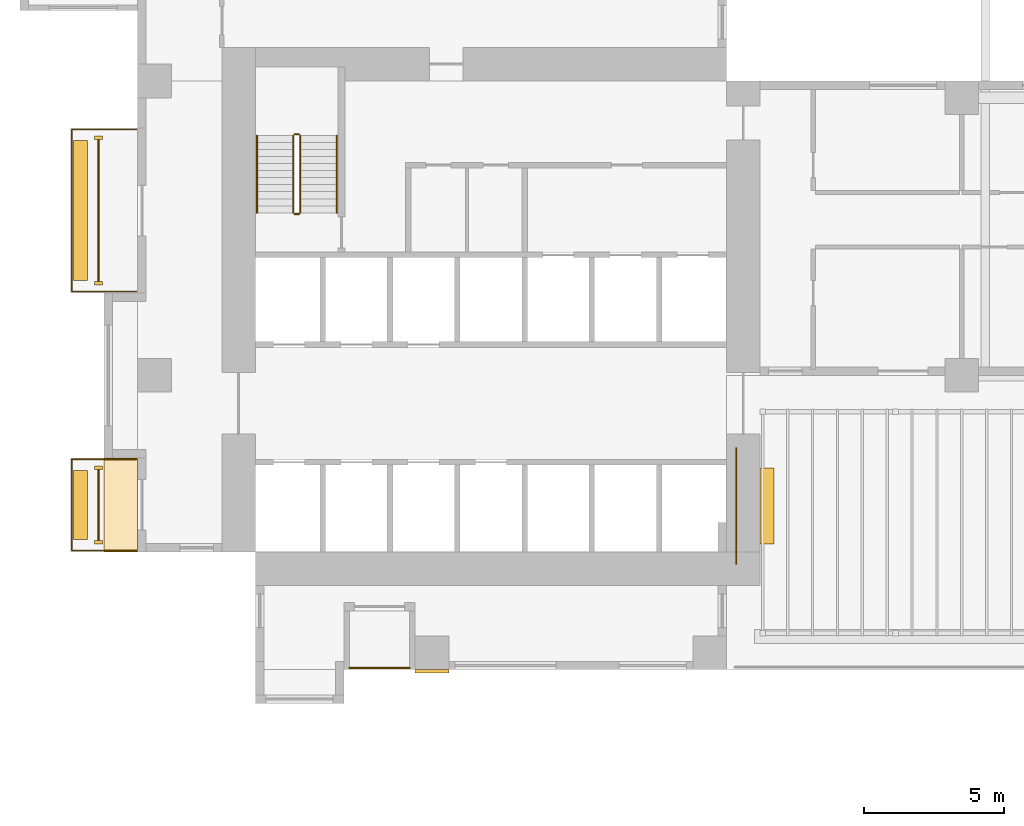
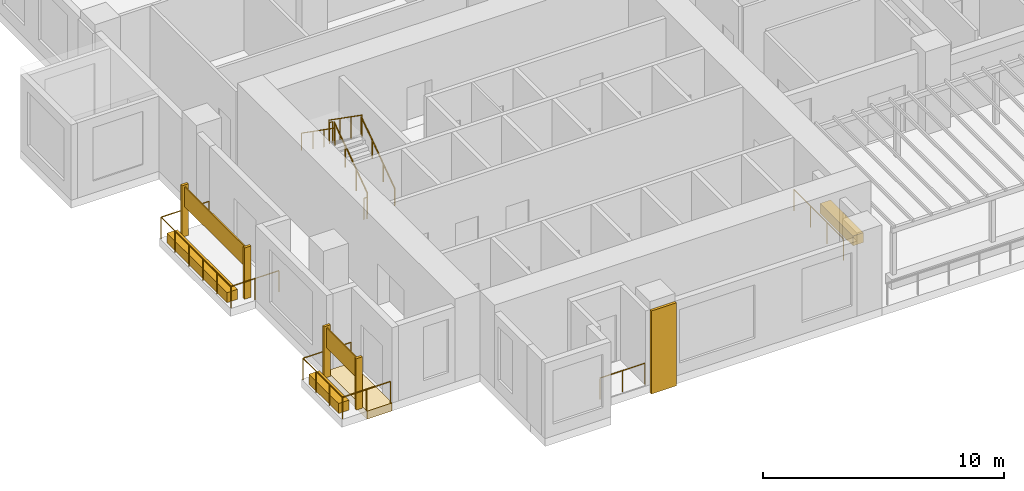
# One storey, part 13 of 17: 11 coverings, 10 railings.
"""IFC4 building model written with IfcOpenShell, lengths in metres."""

from ifc_helpers import new_model, si_unit, direction, frame, origin, origin_2d, place, context, subcontext, project, spatial, polyline, rectangle, circle, outline, extrude, source, transform, mapped, material, type_object, element, save


model = new_model("IFC4")

# Units and contexts
model_context = context("Model", 3, precision=1e-05, world=origin(), true_north=direction((0.0, 1.0)))
body_context = subcontext(model_context, "Body", "Model", "MODEL_VIEW")
ifc_project = project(units=[si_unit("LENGTHUNIT", "METRE"), si_unit("AREAUNIT", "SQUARE_METRE"), si_unit("VOLUMEUNIT", "CUBIC_METRE"), si_unit("PLANEANGLEUNIT", "RADIAN"), si_unit("MASSUNIT", "GRAM", prefix="KILO")], contexts=[model_context])

# Site, building, storey
site_placement = place(None, origin())
site = spatial("IfcSite", under=ifc_project, at=site_placement, CompositionType="ELEMENT")
building_placement = place(site_placement, origin())
building = spatial("IfcBuilding", under=site, at=building_placement, Name="Aurelian Terraces", CompositionType="ELEMENT")
storey_placement = place(building_placement, frame((0.0, 0.0, 48.9)))
storey = spatial("IfcBuildingStorey", under=building, at=storey_placement, Name="L09", CompositionType="ELEMENT", Elevation=48.9)

# Covering
ifc_material_1 = material(Name="Terracotta roof tiles on membrane", Category="masonry")
covering_type_1 = type_object("IfcCoveringType", Name="Bay roof cover", PredefinedType="ROOFING", material=ifc_material_1)
covering_1_placement = place(storey_placement, frame((0.0, 0.0, -0.4)))
element("IfcCovering", 1, at=covering_1_placement, inside=storey, type_object=covering_type_1, Name="Bay roof L09 -1.20_4.20_0.00_13.44", PredefinedType="ROOFING", context=body_context, shape_type="SweptSolid", body=[
    extrude(outline(polyline([(0.0, 4.2), (-1.2, 4.2), (-1.2, 7.56), (0.0, 7.56), (0.0, 4.2)])), origin(), (0.0, 0.0, 1.0), 0.4),
])

# Railings
ifc_material_2 = material(Name="Anodised aluminium", Category="aluminium")
railing_type_1 = type_object("IfcRailingType", Name="GUARD-1100", PredefinedType="GUARDRAIL", material=ifc_material_2)
railing_1_placement = place(storey_placement, frame((7.55, 0.06, 0.05)))
element("IfcRailing", 2, at=railing_1_placement, inside=storey, type_object=railing_type_1, Name="Loggia guard L09 F01.2", PredefinedType="GUARDRAIL", context=body_context, shape_type="SweptSolid", body=[
    extrude(circle(Radius=0.024, at=origin_2d()), frame((0.0, 0.0, 1.076), z_axis=(1.0, 0.0, 0.0), x_axis=(0.0, 1.0, 0.0)), (0.0, 0.0, 1.0), 2.15),
    extrude(circle(Radius=0.021, at=origin_2d()), origin(), (0.0, 0.0, 1.0), 1.052),
    extrude(circle(Radius=0.021, at=origin_2d()), frame((1.075, 0.0, 0.0)), (0.0, 0.0, 1.0), 1.052),
    extrude(circle(Radius=0.021, at=origin_2d()), frame((2.15, 0.0, 0.0)), (0.0, 0.0, 1.0), 1.052),
])
railing_2_placement = place(storey_placement, frame((21.35, 3.7758, 0.0)))
element("IfcRailing", 3, at=railing_2_placement, inside=storey, type_object=railing_type_1, Name="Terrace guard L09 SKY-01-T1.2", PredefinedType="GUARDRAIL", context=body_context, shape_type="SweptSolid", body=[
    extrude(circle(Radius=0.024, at=origin_2d()), frame((0.0, 0.0, 1.076), z_axis=(0.0, 1.0, 0.0), x_axis=(-1.0, 0.0, 0.0)), (0.0, 0.0, 1.0), 4.1242),
    extrude(circle(Radius=0.021, at=origin_2d()), origin(), (0.0, 0.0, 1.0), 1.052),
    extrude(circle(Radius=0.021, at=origin_2d()), frame((0.0, 1.3747, 0.0)), (0.0, 0.0, 1.0), 1.052),
    extrude(circle(Radius=0.021, at=origin_2d()), frame((0.0, 2.7495, 0.0)), (0.0, 0.0, 1.0), 1.052),
    extrude(circle(Radius=0.021, at=origin_2d()), frame((0.0, 4.1242, 0.0)), (0.0, 0.0, 1.0), 1.052),
])

# Coverings
ifc_material_3 = material(Name="Terracotta planter with planting soil", Category="masonry")
covering_type_2 = type_object("IfcCoveringType", Name="PLANTER-TROUGH", PredefinedType="USERDEFINED", material=ifc_material_3)
covering_2_placement = place(storey_placement, frame((22.45, 5.8379, 0.0), z_axis=(0.0, 0.0, 1.0), x_axis=(1.0, 0.0, 0.0)))
element("IfcCovering", 4, at=covering_2_placement, inside=storey, type_object=covering_type_2, Name="PLANTER L09 terrace SKY-01-T1-1.1", ObjectType="PLANTER", PredefinedType="USERDEFINED", context=body_context, shape_type="SweptSolid", body=[
    extrude(rectangle(XDim=0.5, YDim=2.7242, at=origin_2d()), origin(), (0.0, 0.0, 1.0), 0.5),
])
ifc_material_4 = material(Name="Terracotta rainscreen cladding relief", Category="masonry")
covering_type_3 = type_object("IfcCoveringType", Name="FIN-TC", PredefinedType="CLADDING", material=ifc_material_4)
shared_shape_1 = source(origin(), body_context, "Body", "SweptSolid", [
    extrude(rectangle(XDim=0.3, YDim=0.12, at=origin_2d()), origin(), (0.0, 0.0, 1.0), 2.6),
])
for number, where, z_axis, x_axis, name in (
    (5, (-1.4, 18.97, 0.0), (0.0, 0.0, 1.0), (1.0, 0.0, 0.0), "FIN L09 L09-F18-41.1"),
    (6, (-1.4, 13.79, 0.0), (0.0, 0.0, 1.0), (1.0, 0.0, 0.0), "FIN L09 L09-F18-41.2"),
    (7, (-1.4, 7.21, 0.0), (0.0, 0.0, 1.0), (1.0, 0.0, 0.0), "FIN L09 L09-F18-43.1"),
    (8, (-1.4, 4.55, 0.0), (0.0, 0.0, 1.0), (1.0, 0.0, 0.0), "FIN L09 L09-F18-43.2"),
):
    element("IfcCovering", number, at=place(storey_placement, frame(where, z_axis=z_axis, x_axis=x_axis)), inside=storey, type_object=covering_type_3, Name=name, PredefinedType="CLADDING", context=body_context, shape_type="MappedRepresentation", body=[
        mapped(shared_shape_1, transform((0.0, 0.0, 0.0), scale=1.0)),
    ])
covering_type_4 = type_object("IfcCoveringType", Name="BAGUETTE-TC", PredefinedType="CLADDING", material=ifc_material_4)
shared_shape_2 = source(origin(), body_context, "Body", "SweptSolid", [
    extrude(rectangle(XDim=1.2, YDim=0.12, at=origin_2d()), origin(), (0.0, 0.0, 1.0), 4.2),
])
covering_3_placement = place(storey_placement, frame((10.5, -0.06, -0.4), z_axis=(0.0, 0.0, 1.0), x_axis=(1.0, 0.0, 0.0)))
element("IfcCovering", 9, at=covering_3_placement, inside=storey, type_object=covering_type_4, Name="BAGUETTE pier L09 1", PredefinedType="CLADDING", context=body_context, shape_type="MappedRepresentation", body=[
    mapped(shared_shape_2, transform((0.0, 0.0, 0.0), scale=1.0)),
])

# Railing
shared_shape_3 = source(origin(), body_context, "Body", "SweptSolid", [
    extrude(circle(Radius=0.024, at=origin_2d()), frame((0.0, 0.0, 1.076), z_axis=(-1.0, 0.0, 0.0), x_axis=(0.0, -1.0, 0.0)), (0.0, 0.0, 1.0), 2.3),
    extrude(circle(Radius=0.024, at=origin_2d()), frame((-2.3, 0.0, 1.076), z_axis=(0.0, -1.0, 0.0), x_axis=(1.0, 0.0, 0.0)), (0.0, 0.0, 1.0), 5.78),
    extrude(circle(Radius=0.024, at=origin_2d()), frame((-2.3, -5.78, 1.076), z_axis=(1.0, 0.0, 0.0), x_axis=(0.0, 1.0, 0.0)), (0.0, 0.0, 1.0), 2.3),
    extrude(circle(Radius=0.021, at=origin_2d()), origin(), (0.0, 0.0, 1.0), 1.052),
    extrude(circle(Radius=0.021, at=origin_2d()), frame((-1.15, 0.0, 0.0)), (0.0, 0.0, 1.0), 1.052),
    extrude(circle(Radius=0.021, at=origin_2d()), frame((-2.3, 0.0, 0.0)), (0.0, 0.0, 1.0), 1.052),
    extrude(circle(Radius=0.021, at=origin_2d()), frame((-2.3, -1.156, 0.0)), (0.0, 0.0, 1.0), 1.052),
    extrude(circle(Radius=0.021, at=origin_2d()), frame((-2.3, -2.312, 0.0)), (0.0, 0.0, 1.0), 1.052),
    extrude(circle(Radius=0.021, at=origin_2d()), frame((-2.3, -3.468, 0.0)), (0.0, 0.0, 1.0), 1.052),
    extrude(circle(Radius=0.021, at=origin_2d()), frame((-2.3, -4.624, 0.0)), (0.0, 0.0, 1.0), 1.052),
    extrude(circle(Radius=0.021, at=origin_2d()), frame((-2.3, -5.78, 0.0)), (0.0, 0.0, 1.0), 1.052),
    extrude(circle(Radius=0.021, at=origin_2d()), frame((-1.15, -5.78, 0.0)), (0.0, 0.0, 1.0), 1.052),
    extrude(circle(Radius=0.021, at=origin_2d()), frame((0.0, -5.78, 0.0)), (0.0, 0.0, 1.0), 1.052),
])
railing_3_placement = place(storey_placement, frame((-0.05, 19.27, 0.0)))
element("IfcRailing", 10, at=railing_3_placement, inside=storey, type_object=railing_type_1, Name="Balcony guard L09 F18.41", PredefinedType="GUARDRAIL", context=body_context, shape_type="MappedRepresentation", body=[
    mapped(shared_shape_3, transform((0.0, 0.0, 0.0), scale=1.0)),
])

# Coverings
shared_shape_4 = source(origin(), body_context, "Body", "SweptSolid", [
    extrude(rectangle(XDim=0.5, YDim=4.98, at=origin_2d()), origin(), (0.0, 0.0, 1.0), 0.5),
])
covering_4_placement = place(storey_placement, frame((-2.05, 16.38, 0.0), z_axis=(0.0, 0.0, 1.0), x_axis=(1.0, 0.0, 0.0)))
element("IfcCovering", 11, at=covering_4_placement, inside=storey, type_object=covering_type_2, Name="PLANTER L09 L09-F18-41", ObjectType="PLANTER", PredefinedType="USERDEFINED", context=body_context, shape_type="MappedRepresentation", body=[
    mapped(shared_shape_4, transform((0.0, 0.0, 0.0), scale=1.0)),
])
ifc_material_5 = material(Name="Terracotta rainscreen cladding", Category="masonry")
covering_type_5 = type_object("IfcCoveringType", Name="SCREEN-TC", PredefinedType="CLADDING", material=ifc_material_5)
shared_shape_5 = source(origin(), body_context, "Body", "SweptSolid", [
    extrude(rectangle(XDim=0.06, YDim=5.06, at=origin_2d()), origin(), (0.0, 0.0, 1.0), 1.0),
])
covering_5_placement = place(storey_placement, frame((-1.4, 16.38, 1.5), z_axis=(0.0, 0.0, 1.0), x_axis=(1.0, 0.0, 0.0)))
element("IfcCovering", 12, at=covering_5_placement, inside=storey, type_object=covering_type_5, Name="SCREEN L09 L09-F18-41", PredefinedType="CLADDING", context=body_context, shape_type="MappedRepresentation", body=[
    mapped(shared_shape_5, transform((0.0, 0.0, 0.0), scale=1.0)),
])

# Railing
shared_shape_6 = source(origin(), body_context, "Body", "SweptSolid", [
    extrude(circle(Radius=0.024, at=origin_2d()), frame((0.0, 0.0, 1.076), z_axis=(-1.0, 0.0, 0.0), x_axis=(0.0, -1.0, 0.0)), (0.0, 0.0, 1.0), 2.3),
    extrude(circle(Radius=0.024, at=origin_2d()), frame((-2.3, 0.0, 1.076), z_axis=(0.0, -1.0, 0.0), x_axis=(1.0, 0.0, 0.0)), (0.0, 0.0, 1.0), 3.26),
    extrude(circle(Radius=0.024, at=origin_2d()), frame((-2.3, -3.26, 1.076), z_axis=(1.0, 0.0, 0.0), x_axis=(0.0, 1.0, 0.0)), (0.0, 0.0, 1.0), 2.3),
    extrude(circle(Radius=0.021, at=origin_2d()), origin(), (0.0, 0.0, 1.0), 1.052),
    extrude(circle(Radius=0.021, at=origin_2d()), frame((-1.15, 0.0, 0.0)), (0.0, 0.0, 1.0), 1.052),
    extrude(circle(Radius=0.021, at=origin_2d()), frame((-2.3, 0.0, 0.0)), (0.0, 0.0, 1.0), 1.052),
    extrude(circle(Radius=0.021, at=origin_2d()), frame((-2.3, -1.0867, 0.0)), (0.0, 0.0, 1.0), 1.052),
    extrude(circle(Radius=0.021, at=origin_2d()), frame((-2.3, -2.1733, 0.0)), (0.0, 0.0, 1.0), 1.052),
    extrude(circle(Radius=0.021, at=origin_2d()), frame((-2.3, -3.26, 0.0)), (0.0, 0.0, 1.0), 1.052),
    extrude(circle(Radius=0.021, at=origin_2d()), frame((-1.15, -3.26, 0.0)), (0.0, 0.0, 1.0), 1.052),
    extrude(circle(Radius=0.021, at=origin_2d()), frame((0.0, -3.26, 0.0)), (0.0, 0.0, 1.0), 1.052),
])
railing_4_placement = place(storey_placement, frame((-0.05, 7.51, 0.0)))
element("IfcRailing", 13, at=railing_4_placement, inside=storey, type_object=railing_type_1, Name="Balcony guard L09 F18.43", PredefinedType="GUARDRAIL", context=body_context, shape_type="MappedRepresentation", body=[
    mapped(shared_shape_6, transform((0.0, 0.0, 0.0), scale=1.0)),
])

# Coverings
shared_shape_7 = source(origin(), body_context, "Body", "SweptSolid", [
    extrude(rectangle(XDim=0.5, YDim=2.46, at=origin_2d()), origin(), (0.0, 0.0, 1.0), 0.5),
])
covering_6_placement = place(storey_placement, frame((-2.05, 5.88, 0.0), z_axis=(0.0, 0.0, 1.0), x_axis=(1.0, 0.0, 0.0)))
element("IfcCovering", 14, at=covering_6_placement, inside=storey, type_object=covering_type_2, Name="PLANTER L09 L09-F18-43", ObjectType="PLANTER", PredefinedType="USERDEFINED", context=body_context, shape_type="MappedRepresentation", body=[
    mapped(shared_shape_7, transform((0.0, 0.0, 0.0), scale=1.0)),
])
shared_shape_8 = source(origin(), body_context, "Body", "SweptSolid", [
    extrude(rectangle(XDim=0.06, YDim=2.54, at=origin_2d()), origin(), (0.0, 0.0, 1.0), 1.0),
])
covering_7_placement = place(storey_placement, frame((-1.4, 5.88, 1.5), z_axis=(0.0, 0.0, 1.0), x_axis=(1.0, 0.0, 0.0)))
element("IfcCovering", 15, at=covering_7_placement, inside=storey, type_object=covering_type_5, Name="SCREEN L09 L09-F18-43", PredefinedType="CLADDING", context=body_context, shape_type="MappedRepresentation", body=[
    mapped(shared_shape_8, transform((0.0, 0.0, 0.0), scale=1.0)),
])

# Railings
ifc_material_6 = material(Name="Stainless steel", Category="steel")
railing_type_2 = type_object("IfcRailingType", Name="Stair guard 1100", PredefinedType="GUARDRAIL", material=ifc_material_6)
shared_shape_9 = source(origin(), body_context, "Body", "SweptSolid", [
    extrude(circle(Radius=0.024, at=origin_2d()), frame((0.0, 0.0, 1.076), z_axis=(-1.0, 0.0, 0.0), x_axis=(0.0, -1.0, 0.0)), (0.0, 0.0, 1.0), 0.15),
    extrude(circle(Radius=0.021, at=origin_2d()), origin(), (0.0, 0.0, 1.0), 1.052),
    extrude(circle(Radius=0.021, at=origin_2d()), frame((-0.15, 0.0, 0.0)), (0.0, 0.0, 1.0), 1.052),
])
for number, where, name in (
    (16, (5.75, 19.1, 2.1), "L09 S1 stair guard 2"),
    (17, (5.75, 16.25, 0.0), "L09 S1 stair guard 4"),
):
    element("IfcRailing", number, at=place(storey_placement, frame(where)), inside=storey, type_object=railing_type_2, Name=name, PredefinedType="GUARDRAIL", context=body_context, shape_type="MappedRepresentation", body=[
        mapped(shared_shape_9, transform((0.0, 0.0, 0.0), scale=1.0)),
    ])
shared_shape_10 = source(origin(), body_context, "Body", "SweptSolid", [
    extrude(circle(Radius=0.024, at=origin_2d()), frame((0.0, 0.0, 1.076), z_axis=(0.0, 0.819231920519, 0.573462344363), x_axis=(-1.0, 0.0, 0.0)), (0.0, 0.0, 1.0), 3.3568),
    extrude(circle(Radius=0.021, at=origin_2d()), origin(), (0.0, 0.0, 1.0), 1.052),
    extrude(circle(Radius=0.021, at=origin_2d()), frame((0.0, 0.9167, 0.6417)), (0.0, 0.0, 1.0), 1.052),
    extrude(circle(Radius=0.021, at=origin_2d()), frame((0.0, 1.8333, 1.2833)), (0.0, 0.0, 1.0), 1.052),
    extrude(circle(Radius=0.021, at=origin_2d()), frame((0.0, 2.75, 1.925)), (0.0, 0.0, 1.0), 1.052),
])
railing_5_placement = place(storey_placement, frame((5.8, 16.3, 0.175)))
element("IfcRailing", 18, at=railing_5_placement, inside=storey, type_object=railing_type_2, Name="L09 S1 stair guard 1", PredefinedType="GUARDRAIL", context=body_context, shape_type="MappedRepresentation", body=[
    mapped(shared_shape_10, transform((0.0, 0.0, 0.0), scale=1.0)),
])
shared_shape_11 = source(origin(), body_context, "Body", "SweptSolid", [
    extrude(circle(Radius=0.024, at=origin_2d()), frame((0.0, 0.0, 1.076), z_axis=(0.0, -0.819231920519, 0.573462344363), x_axis=(1.0, 0.0, 0.0)), (0.0, 0.0, 1.0), 3.3568),
    extrude(circle(Radius=0.021, at=origin_2d()), origin(), (0.0, 0.0, 1.0), 1.052),
    extrude(circle(Radius=0.021, at=origin_2d()), frame((0.0, -0.9167, 0.6417)), (0.0, 0.0, 1.0), 1.052),
    extrude(circle(Radius=0.021, at=origin_2d()), frame((0.0, -1.8333, 1.2833)), (0.0, 0.0, 1.0), 1.052),
    extrude(circle(Radius=0.021, at=origin_2d()), frame((0.0, -2.75, 1.925)), (0.0, 0.0, 1.0), 1.052),
])
railing_6_placement = place(storey_placement, frame((5.55, 19.05, 2.275)))
element("IfcRailing", 19, at=railing_6_placement, inside=storey, type_object=railing_type_2, Name="L09 S1 stair guard 3", PredefinedType="GUARDRAIL", context=body_context, shape_type="MappedRepresentation", body=[
    mapped(shared_shape_11, transform((0.0, 0.0, 0.0), scale=1.0)),
])
railing_type_3 = type_object("IfcRailingType", Name="Stair handrail", PredefinedType="HANDRAIL", material=ifc_material_6)
shared_shape_12 = source(origin(), body_context, "Body", "SweptSolid", [
    extrude(circle(Radius=0.024, at=origin_2d()), frame((0.0, 0.0, 0.876), z_axis=(0.0, 0.819231920519, 0.573462344363), x_axis=(-1.0, 0.0, 0.0)), (0.0, 0.0, 1.0), 3.3568),
    extrude(circle(Radius=0.021, at=origin_2d()), origin(), (0.0, 0.0, 1.0), 0.852),
    extrude(circle(Radius=0.021, at=origin_2d()), frame((0.0, 0.9167, 0.6417)), (0.0, 0.0, 1.0), 0.852),
    extrude(circle(Radius=0.021, at=origin_2d()), frame((0.0, 1.8333, 1.2833)), (0.0, 0.0, 1.0), 0.852),
    extrude(circle(Radius=0.021, at=origin_2d()), frame((0.0, 2.75, 1.925)), (0.0, 0.0, 1.0), 0.852),
])
railing_7_placement = place(storey_placement, frame((7.1, 16.3, 0.175)))
element("IfcRailing", 20, at=railing_7_placement, inside=storey, type_object=railing_type_3, Name="L09 S1 stair handrail 1", PredefinedType="HANDRAIL", context=body_context, shape_type="MappedRepresentation", body=[
    mapped(shared_shape_12, transform((0.0, 0.0, 0.0), scale=1.0)),
])
shared_shape_13 = source(origin(), body_context, "Body", "SweptSolid", [
    extrude(circle(Radius=0.024, at=origin_2d()), frame((0.0, 0.0, 0.876), z_axis=(0.0, -0.819231920519, 0.573462344363), x_axis=(1.0, 0.0, 0.0)), (0.0, 0.0, 1.0), 3.3568),
    extrude(circle(Radius=0.021, at=origin_2d()), origin(), (0.0, 0.0, 1.0), 0.852),
    extrude(circle(Radius=0.021, at=origin_2d()), frame((0.0, -0.9167, 0.6417)), (0.0, 0.0, 1.0), 0.852),
    extrude(circle(Radius=0.021, at=origin_2d()), frame((0.0, -1.8333, 1.2833)), (0.0, 0.0, 1.0), 0.852),
    extrude(circle(Radius=0.021, at=origin_2d()), frame((0.0, -2.75, 1.925)), (0.0, 0.0, 1.0), 0.852),
])
railing_8_placement = place(storey_placement, frame((4.25, 19.05, 2.275)))
element("IfcRailing", 21, at=railing_8_placement, inside=storey, type_object=railing_type_3, Name="L09 S1 stair handrail 2", PredefinedType="HANDRAIL", context=body_context, shape_type="MappedRepresentation", body=[
    mapped(shared_shape_13, transform((0.0, 0.0, 0.0), scale=1.0)),
])

save(model, "model.ifc")
